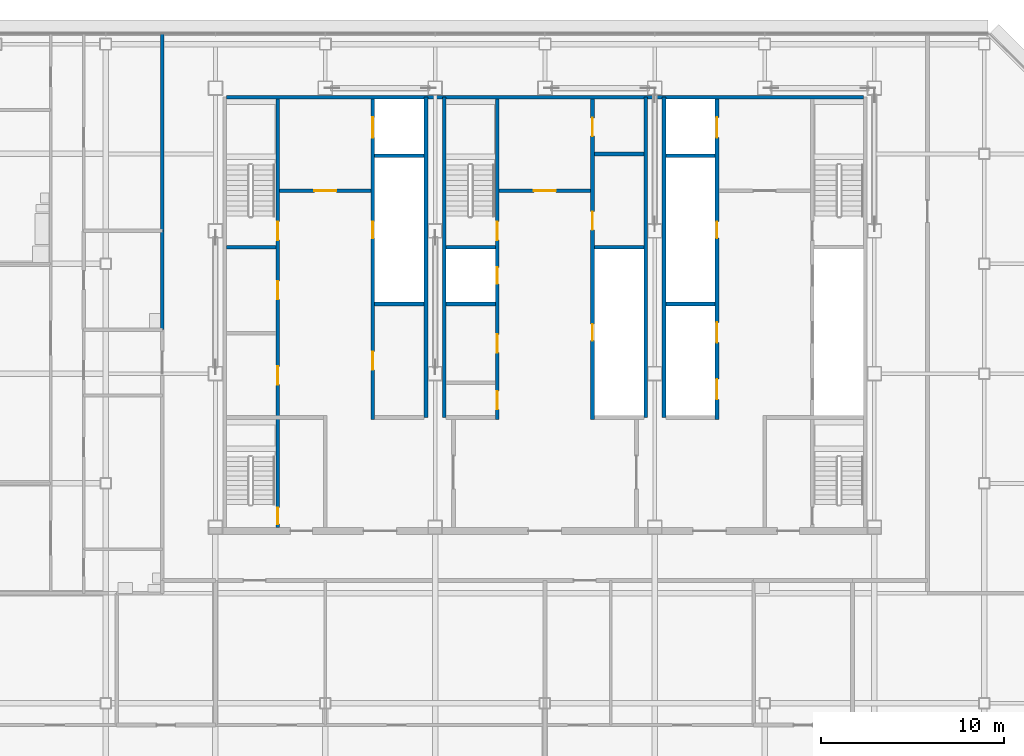
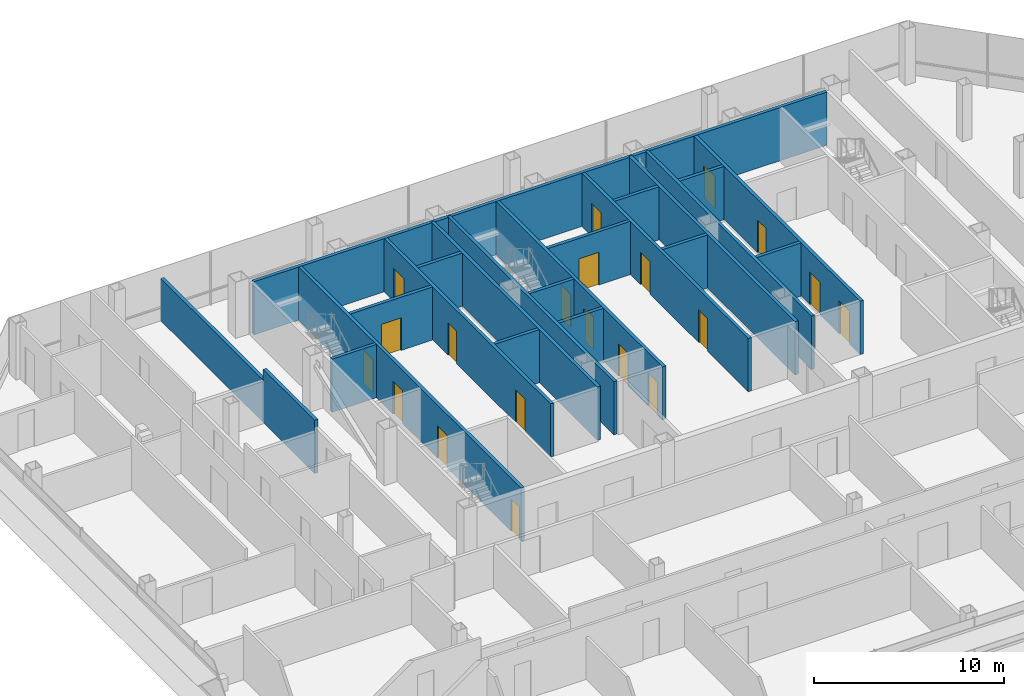
# One storey, part 23 of 27: 23 walls, 20 doors, 20 openings.
"""IFC4 building model written with IfcOpenShell, lengths in metres."""

from ifc_helpers import new_model, si_unit, direction, frame, frame_2d, origin, place, context, subcontext, project, spatial, rectangle, extrude, material, layer, layer_set, type_object, element, fill, save


model = new_model("IFC4")

# Units and contexts
model_context = context("Model", 3, precision=1e-05, world=origin(), true_north=direction((0.0, 1.0)))
body_context = subcontext(model_context, "Body", "Model", "MODEL_VIEW")
ifc_project = project(units=[si_unit("LENGTHUNIT", "METRE"), si_unit("AREAUNIT", "SQUARE_METRE"), si_unit("VOLUMEUNIT", "CUBIC_METRE"), si_unit("PLANEANGLEUNIT", "RADIAN"), si_unit("MASSUNIT", "GRAM", prefix="KILO")], contexts=[model_context])

# Site, building, storey
site_placement = place(None, origin())
site = spatial("IfcSite", under=ifc_project, at=site_placement, CompositionType="ELEMENT")
building_placement = place(site_placement, origin())
building = spatial("IfcBuilding", under=site, at=building_placement, Name="Sorahane Residences", CompositionType="ELEMENT")
storey_placement = place(building_placement, frame((0.0, 0.0, 239.60009765625)))
storey = spatial("IfcBuildingStorey", under=building, at=storey_placement, Name="L56", CompositionType="ELEMENT", Elevation=239.60009765625)

# Walls
ifc_material_1 = material(Name="Concrete C30", Category="concrete")
ifc_layer_1 = layer(ifc_material_1, 0.199951171875)
ifc_layer_set_1 = layer_set([ifc_layer_1], Name="Core face wall 200 EI 180")
wall_type_1 = type_object("IfcWallType", Name="Core face wall 200 EI 180", PredefinedType="SOLIDWALL", material=ifc_layer_set_1)
wall_1_placement = place(storey_placement, frame((6.60009765625, 45.10009765625, 0.0), z_axis=(0.0, 0.0, 1.0), x_axis=(1.0, 0.0, 0.0)))
element("IfcWall", 1, at=wall_1_placement, inside=storey, type_object=wall_type_1, Name="L56 core face wall", PredefinedType="SOLIDWALL", context=body_context, shape_type="SweptSolid", body=[
    extrude(rectangle(XDim=34.7998046875, YDim=0.199951171875, at=frame_2d((17.39990234375, 0.0))), origin(), (0.0, 0.0, 1.0), 3.419921875),
])
for number, where, z_axis, x_axis, name in (
    (2, (17.5, 27.60009765625, 0.0), (0.0, 0.0, 1.0), (0.0, 1.0, 0.0), "L56 core face wall"),
    (3, (18.5, 27.60009765625, 0.0), (0.0, 0.0, 1.0), (0.0, 1.0, 0.0), "L56 core face wall"),
    (4, (29.5, 27.60009765625, 0.0), (0.0, 0.0, 1.0), (0.0, 1.0, 0.0), "L56 core face wall"),
    (5, (30.5, 27.60009765625, 0.0), (0.0, 0.0, 1.0), (0.0, 1.0, 0.0), "L56 core face wall"),
):
    element("IfcWall", number, at=place(storey_placement, frame(where, z_axis=z_axis, x_axis=x_axis)), inside=storey, type_object=wall_type_1, Name=name, PredefinedType="SOLIDWALL", context=body_context, shape_type="SweptSolid", body=[
        extrude(rectangle(XDim=17.5, YDim=0.199951171875, at=frame_2d((8.75, 0.0))), origin(), (0.0, 0.0, 1.0), 3.419921875),
    ])
ifc_material_2 = material(Name="Concrete blockwork C20 wall", Category="masonry")
ifc_layer_2 = layer(ifc_material_2, 0.199951171875)
ifc_layer_set_2 = layer_set([ifc_layer_2], Name="Corridor wall 200 EI 120")
wall_type_2 = type_object("IfcWallType", Name="Corridor wall 200 EI 120", PredefinedType="SOLIDWALL", material=ifc_layer_set_2)
wall_2_placement = place(storey_placement, frame((3.10009765625, 37.800048828125, 0.0), z_axis=(0.0, 0.0, 1.0), x_axis=(0.0, 1.0, 0.0)))
element("IfcWall", 6, at=wall_2_placement, inside=storey, type_object=wall_type_2, Name="L56 corridor wall", PredefinedType="SOLIDWALL", context=body_context, shape_type="SweptSolid", body=[
    extrude(rectangle(XDim=10.800048828125, YDim=0.199951171875, at=frame_2d((5.39990234375, 0.0))), origin(), (0.0, 0.0, 1.0), 2.719970703125),
])

# Wall, opening, door
ifc_material_3 = material(Name="Concrete C30", Category="concrete")
ifc_layer_3 = layer(ifc_material_3, 0.199951171875)
ifc_layer_set_3 = layer_set([ifc_layer_3], Name="Front room wall 200 EI 120")
wall_type_3 = type_object("IfcWallType", Name="Front room wall 200 EI 120", PredefinedType="PARTITIONING", material=ifc_layer_set_3)
wall_3_placement = place(storey_placement, frame((21.5, 40.0, 0.0), z_axis=(0.0, 0.0, 1.0), x_axis=(1.0, 0.0, 0.0)))
wall_3 = element("IfcWall", 7, at=wall_3_placement, inside=storey, type_object=wall_type_3, Name="L56 front room wall", PredefinedType="PARTITIONING", context=body_context, shape_type="SweptSolid", body=[
    extrude(rectangle(XDim=5.0, YDim=0.199951171875, at=frame_2d((2.5, 0.0))), origin(), (0.0, 0.0, 1.0), 3.419921875),
])
opening_1_placement = place(wall_3_placement, frame((1.89990234375, 0.0, 0.0)))
opening_1 = element("IfcOpeningElement", 8, at=opening_1_placement, cuts=wall_3, Name="Opening L56-C09", PredefinedType="OPENING", context=body_context, shape_type="SweptSolid", body=[
    extrude(rectangle(XDim=1.199951171875, YDim=2.10009765625, at=frame_2d((0.60009765625, 1.050048828125))), frame((0.0, 0.10986328125, 0.0), z_axis=(0.0, -1.0, 0.0), x_axis=(1.0, 0.0, 0.0)), (0.0, 0.0, 1.0), 0.219970703125),
])
ifc_material_4 = material(Name="Steel", Category="steel")
door_type_1 = type_object("IfcDoorType", Name="Front room door 1200x2100 FD120", OperationType="NOTDEFINED", PredefinedType="DOOR", material=ifc_material_4)
door_1_placement = place(opening_1_placement, frame((1.199951171875, 0.0, 0.0), z_axis=(0.0, 0.0, 1.0), x_axis=(-1.0, 0.0, 0.0)))
door_1 = element("IfcDoor", 9, at=door_1_placement, inside=storey, type_object=door_type_1, Name="Front room door Stair S3 vestibule L56", OperationType="DOUBLE_DOOR_SINGLE_SWING", OverallHeight=2.10009765625, OverallWidth=1.199951171875, PredefinedType="DOOR", context=body_context, shape_type="SweptSolid", body=[
    extrude(rectangle(XDim=1.199951171875, YDim=2.10009765625, at=frame_2d((0.60009765625, 1.050048828125))), frame((0.0, 0.02490234375, 0.0), z_axis=(0.0, -1.0, 0.0), x_axis=(1.0, 0.0, 0.0)), (0.0, 0.0, 1.0), 0.050048828125),
])
fill(opening_1, door_1)

wall_4_placement = place(storey_placement, frame((9.5, 40.0, 0.0), z_axis=(0.0, 0.0, 1.0), x_axis=(1.0, 0.0, 0.0)))
wall_4 = element("IfcWall", 10, at=wall_4_placement, inside=storey, type_object=wall_type_3, Name="L56 front room wall", PredefinedType="PARTITIONING", context=body_context, shape_type="SweptSolid", body=[
    extrude(rectangle(XDim=5.0, YDim=0.199951171875, at=frame_2d((2.5, 0.0))), origin(), (0.0, 0.0, 1.0), 3.419921875),
])
opening_2_placement = place(wall_4_placement, frame((1.89990234375, 0.0, 0.0)))
opening_2 = element("IfcOpeningElement", 11, at=opening_2_placement, cuts=wall_4, Name="Opening L56-C08", PredefinedType="OPENING", context=body_context, shape_type="SweptSolid", body=[
    extrude(rectangle(XDim=1.199951171875, YDim=2.10009765625, at=frame_2d((0.60009765625, 1.050048828125))), frame((0.0, 0.10986328125, 0.0), z_axis=(0.0, -1.0, 0.0), x_axis=(1.0, 0.0, 0.0)), (0.0, 0.0, 1.0), 0.219970703125),
])
door_2_placement = place(opening_2_placement, frame((1.199951171875, 0.0, 0.0), z_axis=(0.0, 0.0, 1.0), x_axis=(-1.0, 0.0, 0.0)))
door_2 = element("IfcDoor", 12, at=door_2_placement, inside=storey, type_object=door_type_1, Name="Front room door Firefighting lobby FF1 front room L56", OperationType="DOUBLE_DOOR_SINGLE_SWING", OverallHeight=2.10009765625, OverallWidth=1.199951171875, PredefinedType="DOOR", context=body_context, shape_type="SweptSolid", body=[
    extrude(rectangle(XDim=1.199951171875, YDim=2.10009765625, at=frame_2d((0.60009765625, 1.050048828125))), frame((0.0, 0.02490234375, 0.0), z_axis=(0.0, -1.0, 0.0), x_axis=(1.0, 0.0, 0.0)), (0.0, 0.0, 1.0), 0.050048828125),
])
fill(opening_2, door_2)

# Wall
ifc_material_5 = material(Name="Concrete blockwork C20 wall", Category="masonry")
ifc_layer_4 = layer(ifc_material_5, 0.199951171875)
ifc_layer_set_4 = layer_set([ifc_layer_4], Name="Kitchen wall 200 EI 180")
wall_type_4 = type_object("IfcWallType", Name="Kitchen wall 200 EI 180", PredefinedType="SOLIDWALL", material=ifc_layer_set_4)
wall_5_placement = place(storey_placement, frame((3.10009765625, 32.39990234375, 0.0), z_axis=(0.0, 0.0, 1.0), x_axis=(0.0, 1.0, 0.0)))
element("IfcWall", 13, at=wall_5_placement, inside=storey, type_object=wall_type_4, Name="L56 kitchen wall", PredefinedType="SOLIDWALL", context=body_context, shape_type="SweptSolid", body=[
    extrude(rectangle(XDim=5.400146484375, YDim=0.199951171875, at=frame_2d((2.7001953125, 0.0))), origin(), (0.0, 0.0, 1.0), 3.419921875),
])

# Wall, openings, doors
ifc_material_6 = material(Name="Concrete C30", Category="concrete")
ifc_layer_5 = layer(ifc_material_6, 0.199951171875)
ifc_layer_set_5 = layer_set([ifc_layer_5], Name="Lift shaft wall 200 EI 120")
wall_type_5 = type_object("IfcWallType", Name="Lift shaft wall 200 EI 120", PredefinedType="SOLIDWALL", material=ifc_layer_set_5)
wall_6_placement = place(storey_placement, frame((14.60009765625, 27.5, 0.0), z_axis=(0.0, 0.0, 1.0), x_axis=(0.0, 1.0, 0.0)))
wall_6 = element("IfcWall", 14, at=wall_6_placement, inside=storey, type_object=wall_type_5, Name="L56 lift shaft wall", PredefinedType="SOLIDWALL", context=body_context, shape_type="SweptSolid", body=[
    extrude(rectangle(XDim=17.5, YDim=0.199951171875, at=frame_2d((8.75, 0.0))), origin(), (0.0, 0.0, 1.0), 3.419921875),
])
opening_3_placement = place(wall_6_placement, frame((15.39990234375, 0.0, 0.0)))
opening_3 = element("IfcOpeningElement", 15, at=opening_3_placement, cuts=wall_6, Name="Opening L56-C17", PredefinedType="OPENING", context=body_context, shape_type="SweptSolid", body=[
    extrude(rectangle(XDim=1.10009765625, YDim=2.10009765625, at=frame_2d((0.550048828125, 1.050048828125))), frame((0.0, 0.10986328125, 0.0), z_axis=(0.0, -1.0, 0.0), x_axis=(1.0, 0.0, 0.0)), (0.0, 0.0, 1.0), 0.219970703125),
])
opening_4_placement = place(wall_6_placement, frame((2.699951171875, 0.0, 0.0)))
opening_4 = element("IfcOpeningElement", 16, at=opening_4_placement, cuts=wall_6, Name="Opening L56-C20", PredefinedType="OPENING", context=body_context, shape_type="SweptSolid", body=[
    extrude(rectangle(XDim=1.0, YDim=2.10009765625, at=frame_2d((0.5, 1.050048828125))), frame((0.0, 0.10986328125, 0.0), z_axis=(0.0, -1.0, 0.0), x_axis=(1.0, 0.0, 0.0)), (0.0, 0.0, 1.0), 0.219970703125),
])
opening_5_placement = place(wall_6_placement, frame((9.89990234375, 0.0, 0.0)))
opening_5 = element("IfcOpeningElement", 17, at=opening_5_placement, cuts=wall_6, Name="Opening L56-C28", PredefinedType="OPENING", context=body_context, shape_type="SweptSolid", body=[
    extrude(rectangle(XDim=0.89990234375, YDim=2.10009765625, at=frame_2d((0.449951171875, 1.050048828125))), frame((0.0, 0.10986328125, 0.0), z_axis=(0.0, -1.0, 0.0), x_axis=(1.0, 0.0, 0.0)), (0.0, 0.0, 1.0), 0.219970703125),
])
ifc_material_7 = material(Name="Aluminium and stainless steel", Category="steel")
door_type_2 = type_object("IfcDoorType", Name="Lift landing door 1100x2100 E 60", OperationType="NOTDEFINED", PredefinedType="DOOR", material=ifc_material_7)
door_3_placement = place(opening_3_placement, origin())
door_3 = element("IfcDoor", 18, at=door_3_placement, inside=storey, type_object=door_type_2, Name="Lift landing door FF1 L56", OperationType="DOUBLE_DOOR_SLIDING", OverallHeight=2.10009765625, OverallWidth=1.10009765625, PredefinedType="DOOR", context=body_context, shape_type="SweptSolid", body=[
    extrude(rectangle(XDim=1.10009765625, YDim=2.10009765625, at=frame_2d((0.550048828125, 1.050048828125))), frame((0.0, 0.02490234375, 0.0), z_axis=(0.0, -1.0, 0.0), x_axis=(1.0, 0.0, 0.0)), (0.0, 0.0, 1.0), 0.050048828125),
])
fill(opening_3, door_3)
ifc_material_8 = material(Name="Steel", Category="steel")
door_type_3 = type_object("IfcDoorType", Name="Riser door 900x2100 FD120", OperationType="NOTDEFINED", PredefinedType="DOOR", material=ifc_material_8)
door_4_placement = place(opening_5_placement, origin())
door_4 = element("IfcDoor", 19, at=door_4_placement, inside=storey, type_object=door_type_3, Name="Riser door R1 L56", OperationType="SINGLE_SWING_LEFT", OverallHeight=2.10009765625, OverallWidth=0.89990234375, PredefinedType="DOOR", context=body_context, shape_type="SweptSolid", body=[
    extrude(rectangle(XDim=0.89990234375, YDim=2.10009765625, at=frame_2d((0.449951171875, 1.050048828125))), frame((0.0, 0.02490234375, 0.0), z_axis=(0.0, -1.0, 0.0), x_axis=(1.0, 0.0, 0.0)), (0.0, 0.0, 1.0), 0.050048828125),
])
fill(opening_5, door_4)
ifc_material_9 = material(Name="Steel", Category="steel")
door_type_4 = type_object("IfcDoorType", Name="Service room door 1000x2100 FD60", OperationType="NOTDEFINED", PredefinedType="DOOR", material=ifc_material_9)
door_5_placement = place(opening_4_placement, frame((1.0, 0.0, 0.0), z_axis=(0.0, 0.0, 1.0), x_axis=(-1.0, 0.0, 0.0)))
door_5 = element("IfcDoor", 20, at=door_5_placement, inside=storey, type_object=door_type_4, Name="Service room door Archive L56", OperationType="SINGLE_SWING_RIGHT", OverallHeight=2.10009765625, OverallWidth=1.0, PredefinedType="DOOR", context=body_context, shape_type="SweptSolid", body=[
    extrude(rectangle(XDim=1.0, YDim=2.10009765625, at=frame_2d((0.5, 1.050048828125))), frame((0.0, 0.02490234375, 0.0), z_axis=(0.0, -1.0, 0.0), x_axis=(1.0, 0.0, 0.0)), (0.0, 0.0, 1.0), 0.050048828125),
])
fill(opening_4, door_5)

wall_7_placement = place(storey_placement, frame((33.39990234375, 27.5, 0.0), z_axis=(0.0, 0.0, 1.0), x_axis=(0.0, 1.0, 0.0)))
wall_7 = element("IfcWall", 21, at=wall_7_placement, inside=storey, type_object=wall_type_5, Name="L56 lift shaft wall", PredefinedType="SOLIDWALL", context=body_context, shape_type="SweptSolid", body=[
    extrude(rectangle(XDim=17.5, YDim=0.199951171875, at=frame_2d((8.75, 0.0))), origin(), (0.0, 0.0, 1.0), 3.419921875),
])
opening_6_placement = place(wall_7_placement, frame((1.10009765625, 0.0, 0.0)))
opening_6 = element("IfcOpeningElement", 22, at=opening_6_placement, cuts=wall_7, Name="Opening L56-C14", PredefinedType="OPENING", context=body_context, shape_type="SweptSolid", body=[
    extrude(rectangle(XDim=1.10009765625, YDim=2.10009765625, at=frame_2d((0.550048828125, 1.050048828125))), frame((0.0, 0.10986328125, 0.0), z_axis=(0.0, -1.0, 0.0), x_axis=(1.0, 0.0, 0.0)), (0.0, 0.0, 1.0), 0.219970703125),
])
opening_7_placement = place(wall_7_placement, frame((4.199951171875, 0.0, 0.0)))
opening_7 = element("IfcOpeningElement", 23, at=opening_7_placement, cuts=wall_7, Name="Opening L56-C15", PredefinedType="OPENING", context=body_context, shape_type="SweptSolid", body=[
    extrude(rectangle(XDim=1.10009765625, YDim=2.10009765625, at=frame_2d((0.550048828125, 1.050048828125))), frame((0.0, 0.10986328125, 0.0), z_axis=(0.0, -1.0, 0.0), x_axis=(1.0, 0.0, 0.0)), (0.0, 0.0, 1.0), 0.219970703125),
])
opening_8_placement = place(wall_7_placement, frame((15.39990234375, 0.0, 0.0)))
opening_8 = element("IfcOpeningElement", 24, at=opening_8_placement, cuts=wall_7, Name="Opening L56-C16", PredefinedType="OPENING", context=body_context, shape_type="SweptSolid", body=[
    extrude(rectangle(XDim=1.10009765625, YDim=2.10009765625, at=frame_2d((0.550048828125, 1.050048828125))), frame((0.0, 0.10986328125, 0.0), z_axis=(0.0, -1.0, 0.0), x_axis=(1.0, 0.0, 0.0)), (0.0, 0.0, 1.0), 0.219970703125),
])
opening_9_placement = place(wall_7_placement, frame((9.89990234375, 0.0, 0.0)))
opening_9 = element("IfcOpeningElement", 25, at=opening_9_placement, cuts=wall_7, Name="Opening L56-C29", PredefinedType="OPENING", context=body_context, shape_type="SweptSolid", body=[
    extrude(rectangle(XDim=0.89990234375, YDim=2.10009765625, at=frame_2d((0.449951171875, 1.050048828125))), frame((0.0, 0.10986328125, 0.0), z_axis=(0.0, -1.0, 0.0), x_axis=(1.0, 0.0, 0.0)), (0.0, 0.0, 1.0), 0.219970703125),
])
door_6_placement = place(opening_6_placement, origin())
door_6 = element("IfcDoor", 26, at=door_6_placement, inside=storey, type_object=door_type_2, Name="Lift landing door HR4 L56", OperationType="DOUBLE_DOOR_SLIDING", OverallHeight=2.10009765625, OverallWidth=1.10009765625, PredefinedType="DOOR", context=body_context, shape_type="SweptSolid", body=[
    extrude(rectangle(XDim=1.10009765625, YDim=2.10009765625, at=frame_2d((0.550048828125, 1.050048828125))), frame((0.0, 0.02490234375, 0.0), z_axis=(0.0, -1.0, 0.0), x_axis=(1.0, 0.0, 0.0)), (0.0, 0.0, 1.0), 0.050048828125),
])
fill(opening_6, door_6)
door_7_placement = place(opening_7_placement, origin())
door_7 = element("IfcDoor", 27, at=door_7_placement, inside=storey, type_object=door_type_2, Name="Lift landing door HR5 L56", OperationType="DOUBLE_DOOR_SLIDING", OverallHeight=2.10009765625, OverallWidth=1.10009765625, PredefinedType="DOOR", context=body_context, shape_type="SweptSolid", body=[
    extrude(rectangle(XDim=1.10009765625, YDim=2.10009765625, at=frame_2d((0.550048828125, 1.050048828125))), frame((0.0, 0.02490234375, 0.0), z_axis=(0.0, -1.0, 0.0), x_axis=(1.0, 0.0, 0.0)), (0.0, 0.0, 1.0), 0.050048828125),
])
fill(opening_7, door_7)
door_8_placement = place(opening_8_placement, origin())
door_8 = element("IfcDoor", 28, at=door_8_placement, inside=storey, type_object=door_type_2, Name="Lift landing door FF2 L56", OperationType="DOUBLE_DOOR_SLIDING", OverallHeight=2.10009765625, OverallWidth=1.10009765625, PredefinedType="DOOR", context=body_context, shape_type="SweptSolid", body=[
    extrude(rectangle(XDim=1.10009765625, YDim=2.10009765625, at=frame_2d((0.550048828125, 1.050048828125))), frame((0.0, 0.02490234375, 0.0), z_axis=(0.0, -1.0, 0.0), x_axis=(1.0, 0.0, 0.0)), (0.0, 0.0, 1.0), 0.050048828125),
])
fill(opening_8, door_8)
door_9_placement = place(opening_9_placement, frame((0.89990234375, 0.0, 0.0), z_axis=(0.0, 0.0, 1.0), x_axis=(-1.0, 0.0, 0.0)))
door_9 = element("IfcDoor", 29, at=door_9_placement, inside=storey, type_object=door_type_3, Name="Riser door R2 L56", OperationType="SINGLE_SWING_LEFT", OverallHeight=2.10009765625, OverallWidth=0.89990234375, PredefinedType="DOOR", context=body_context, shape_type="SweptSolid", body=[
    extrude(rectangle(XDim=0.89990234375, YDim=2.10009765625, at=frame_2d((0.449951171875, 1.050048828125))), frame((0.0, 0.02490234375, 0.0), z_axis=(0.0, -1.0, 0.0), x_axis=(1.0, 0.0, 0.0)), (0.0, 0.0, 1.0), 0.050048828125),
])
fill(opening_9, door_9)

# Walls
for number, where, z_axis, x_axis, name in (
    (30, (30.60009765625, 33.800048828125, 0.0), (0.0, 0.0, 1.0), (1.0, 0.0, 0.0), "L56 lift shaft wall"),
    (31, (14.699951171875, 41.89990234375, 0.0), (0.0, 0.0, 1.0), (1.0, 0.0, 0.0), "L56 lift shaft wall"),
    (32, (30.60009765625, 41.89990234375, 0.0), (0.0, 0.0, 1.0), (1.0, 0.0, 0.0), "L56 lift shaft wall"),
):
    element("IfcWall", number, at=place(storey_placement, frame(where, z_axis=z_axis, x_axis=x_axis)), inside=storey, type_object=wall_type_5, Name=name, PredefinedType="SOLIDWALL", context=body_context, shape_type="SweptSolid", body=[
        extrude(rectangle(XDim=2.699951171875, YDim=0.199951171875, at=frame_2d((1.35009765625, 0.0))), origin(), (0.0, 0.0, 1.0), 3.419921875),
    ])

# Wall, openings, doors
ifc_material_10 = material(Name="Concrete C30", Category="concrete")
ifc_layer_6 = layer(ifc_material_10, 0.199951171875)
ifc_layer_set_6 = layer_set([ifc_layer_6], Name="Riser shaft wall 200 EI 120")
wall_type_6 = type_object("IfcWallType", Name="Riser shaft wall 200 EI 120", PredefinedType="SOLIDWALL", material=ifc_layer_set_6)
wall_8_placement = place(storey_placement, frame((26.60009765625, 27.5, 0.0), z_axis=(0.0, 0.0, 1.0), x_axis=(0.0, 1.0, 0.0)))
wall_8 = element("IfcWall", 33, at=wall_8_placement, inside=storey, type_object=wall_type_6, Name="L56 riser wall", PredefinedType="SOLIDWALL", context=body_context, shape_type="SweptSolid", body=[
    extrude(rectangle(XDim=17.5, YDim=0.199951171875, at=frame_2d((8.75, 0.0))), origin(), (0.0, 0.0, 1.0), 3.419921875),
])
opening_10_placement = place(wall_8_placement, frame((4.300048828125, 0.0, 0.0)))
opening_10 = element("IfcOpeningElement", 34, at=opening_10_placement, cuts=wall_8, Name="Opening L56-C31", PredefinedType="OPENING", context=body_context, shape_type="SweptSolid", body=[
    extrude(rectangle(XDim=0.89990234375, YDim=2.10009765625, at=frame_2d((0.449951171875, 1.050048828125))), frame((0.0, 0.10986328125, 0.0), z_axis=(0.0, -1.0, 0.0), x_axis=(1.0, 0.0, 0.0)), (0.0, 0.0, 1.0), 0.219970703125),
])
opening_11_placement = place(wall_8_placement, frame((10.35009765625, 0.0, 0.0)))
opening_11 = element("IfcOpeningElement", 35, at=opening_11_placement, cuts=wall_8, Name="Opening L56-C32", PredefinedType="OPENING", context=body_context, shape_type="SweptSolid", body=[
    extrude(rectangle(XDim=1.0, YDim=2.10009765625, at=frame_2d((0.5, 1.050048828125))), frame((0.0, 0.10986328125, 0.0), z_axis=(0.0, -1.0, 0.0), x_axis=(1.0, 0.0, 0.0)), (0.0, 0.0, 1.0), 0.219970703125),
])
opening_12_placement = place(wall_8_placement, frame((15.47509765625, 0.0, 0.0)))
opening_12 = element("IfcOpeningElement", 36, at=opening_12_placement, cuts=wall_8, Name="Opening L56-C33", PredefinedType="OPENING", context=body_context, shape_type="SweptSolid", body=[
    extrude(rectangle(XDim=1.0, YDim=2.10009765625, at=frame_2d((0.5, 1.050048828125))), frame((0.0, 0.10986328125, 0.0), z_axis=(0.0, -1.0, 0.0), x_axis=(1.0, 0.0, 0.0)), (0.0, 0.0, 1.0), 0.219970703125),
])
door_10_placement = place(opening_10_placement, origin())
door_10 = element("IfcDoor", 37, at=door_10_placement, inside=storey, type_object=door_type_3, Name="Riser door R4 L56", OperationType="SINGLE_SWING_LEFT", OverallHeight=2.10009765625, OverallWidth=0.89990234375, PredefinedType="DOOR", context=body_context, shape_type="SweptSolid", body=[
    extrude(rectangle(XDim=0.89990234375, YDim=2.10009765625, at=frame_2d((0.449951171875, 1.050048828125))), frame((0.0, 0.02490234375, 0.0), z_axis=(0.0, -1.0, 0.0), x_axis=(1.0, 0.0, 0.0)), (0.0, 0.0, 1.0), 0.050048828125),
])
fill(opening_10, door_10)
door_11_placement = place(opening_11_placement, frame((1.0, 0.0, 0.0), z_axis=(0.0, 0.0, 1.0), x_axis=(-1.0, 0.0, 0.0)))
door_11 = element("IfcDoor", 38, at=door_11_placement, inside=storey, type_object=door_type_4, Name="Service room door Parcel room L56", OperationType="SINGLE_SWING_LEFT", OverallHeight=2.10009765625, OverallWidth=1.0, PredefinedType="DOOR", context=body_context, shape_type="SweptSolid", body=[
    extrude(rectangle(XDim=1.0, YDim=2.10009765625, at=frame_2d((0.5, 1.050048828125))), frame((0.0, 0.02490234375, 0.0), z_axis=(0.0, -1.0, 0.0), x_axis=(1.0, 0.0, 0.0)), (0.0, 0.0, 1.0), 0.050048828125),
])
fill(opening_11, door_11)
door_12_placement = place(opening_12_placement, frame((1.0, 0.0, 0.0), z_axis=(0.0, 0.0, 1.0), x_axis=(-1.0, 0.0, 0.0)))
door_12 = element("IfcDoor", 39, at=door_12_placement, inside=storey, type_object=door_type_4, Name="Service room door Refuse room L56", OperationType="SINGLE_SWING_RIGHT", OverallHeight=2.10009765625, OverallWidth=1.0, PredefinedType="DOOR", context=body_context, shape_type="SweptSolid", body=[
    extrude(rectangle(XDim=1.0, YDim=2.10009765625, at=frame_2d((0.5, 1.050048828125))), frame((0.0, 0.02490234375, 0.0), z_axis=(0.0, -1.0, 0.0), x_axis=(1.0, 0.0, 0.0)), (0.0, 0.0, 1.0), 0.050048828125),
])
fill(opening_12, door_12)

# Walls
for number, where, z_axis, x_axis, name in (
    (40, (14.699951171875, 33.800048828125, 0.0), (0.0, 0.0, 1.0), (1.0, 0.0, 0.0), "L56 riser wall"),
    (41, (18.60009765625, 33.800048828125, 0.0), (0.0, 0.0, 1.0), (1.0, 0.0, 0.0), "L56 riser wall"),
    (42, (26.699951171875, 36.89990234375, 0.0), (0.0, 0.0, 1.0), (1.0, 0.0, 0.0), "L56 riser wall"),
):
    element("IfcWall", number, at=place(storey_placement, frame(where, z_axis=z_axis, x_axis=x_axis)), inside=storey, type_object=wall_type_6, Name=name, PredefinedType="SOLIDWALL", context=body_context, shape_type="SweptSolid", body=[
        extrude(rectangle(XDim=2.699951171875, YDim=0.199951171875, at=frame_2d((1.35009765625, 0.0))), origin(), (0.0, 0.0, 1.0), 3.419921875),
    ])
ifc_material_11 = material(Name="Concrete C30", Category="concrete")
ifc_layer_7 = layer(ifc_material_11, 0.199951171875)
ifc_layer_set_7 = layer_set([ifc_layer_7], Name="Service room partition 200 EI 60")
wall_type_7 = type_object("IfcWallType", Name="Service room partition 200 EI 60", PredefinedType="PARTITIONING", material=ifc_layer_set_7)
wall_9_placement = place(storey_placement, frame((26.699951171875, 42.0, 0.0), z_axis=(0.0, 0.0, 1.0), x_axis=(1.0, 0.0, 0.0)))
element("IfcWall", 43, at=wall_9_placement, inside=storey, type_object=wall_type_7, Name="L56 service room wall", PredefinedType="PARTITIONING", context=body_context, shape_type="SweptSolid", body=[
    extrude(rectangle(XDim=2.699951171875, YDim=0.199951171875, at=frame_2d((1.35009765625, 0.0))), origin(), (0.0, 0.0, 1.0), 3.419921875),
])

# Wall, openings, doors
ifc_material_12 = material(Name="Concrete C30", Category="concrete")
ifc_layer_8 = layer(ifc_material_12, 0.199951171875)
ifc_layer_set_8 = layer_set([ifc_layer_8], Name="Stair enclosure wall 200 EI 120")
wall_type_8 = type_object("IfcWallType", Name="Stair enclosure wall 200 EI 120", PredefinedType="SOLIDWALL", material=ifc_layer_set_8)
wall_10_placement = place(storey_placement, frame((21.39990234375, 27.5, 0.0), z_axis=(0.0, 0.0, 1.0), x_axis=(0.0, 1.0, 0.0)))
wall_10 = element("IfcWall", 44, at=wall_10_placement, inside=storey, type_object=wall_type_8, Name="L56 stair enclosure wall", PredefinedType="SOLIDWALL", context=body_context, shape_type="SweptSolid", body=[
    extrude(rectangle(XDim=17.5, YDim=0.199951171875, at=frame_2d((8.75, 0.0))), origin(), (0.0, 0.0, 1.0), 3.419921875),
])
opening_13_placement = place(wall_10_placement, frame((0.550048828125, 0.0, 0.0)))
opening_13 = element("IfcOpeningElement", 45, at=opening_13_placement, cuts=wall_10, Name="Opening L56-C18", PredefinedType="OPENING", context=body_context, shape_type="SweptSolid", body=[
    extrude(rectangle(XDim=1.0, YDim=2.10009765625, at=frame_2d((0.5, 1.050048828125))), frame((0.0, 0.10986328125, 0.0), z_axis=(0.0, -1.0, 0.0), x_axis=(1.0, 0.0, 0.0)), (0.0, 0.0, 1.0), 0.219970703125),
])
opening_14_placement = place(wall_10_placement, frame((3.64990234375, 0.0, 0.0)))
opening_14 = element("IfcOpeningElement", 46, at=opening_14_placement, cuts=wall_10, Name="Opening L56-C19", PredefinedType="OPENING", context=body_context, shape_type="SweptSolid", body=[
    extrude(rectangle(XDim=1.0, YDim=2.10009765625, at=frame_2d((0.5, 1.050048828125))), frame((0.0, 0.10986328125, 0.0), z_axis=(0.0, -1.0, 0.0), x_axis=(1.0, 0.0, 0.0)), (0.0, 0.0, 1.0), 0.219970703125),
])
opening_15_placement = place(wall_10_placement, frame((9.800048828125, 0.0, 0.0)))
opening_15 = element("IfcOpeningElement", 47, at=opening_15_placement, cuts=wall_10, Name="Opening L56-C25", PredefinedType="OPENING", context=body_context, shape_type="SweptSolid", body=[
    extrude(rectangle(XDim=1.0, YDim=2.10009765625, at=frame_2d((0.5, 1.050048828125))), frame((0.0, 0.10986328125, 0.0), z_axis=(0.0, -1.0, 0.0), x_axis=(1.0, 0.0, 0.0)), (0.0, 0.0, 1.0), 0.219970703125),
])
opening_16_placement = place(wall_10_placement, frame((7.39990234375, 0.0, 0.0)))
opening_16 = element("IfcOpeningElement", 48, at=opening_16_placement, cuts=wall_10, Name="Opening L56-C30", PredefinedType="OPENING", context=body_context, shape_type="SweptSolid", body=[
    extrude(rectangle(XDim=0.89990234375, YDim=2.10009765625, at=frame_2d((0.449951171875, 1.050048828125))), frame((0.0, 0.10986328125, 0.0), z_axis=(0.0, -1.0, 0.0), x_axis=(1.0, 0.0, 0.0)), (0.0, 0.0, 1.0), 0.219970703125),
])
door_13_placement = place(opening_16_placement, frame((0.89990234375, 0.0, 0.0), z_axis=(0.0, 0.0, 1.0), x_axis=(-1.0, 0.0, 0.0)))
door_13 = element("IfcDoor", 49, at=door_13_placement, inside=storey, type_object=door_type_3, Name="Riser door R3 L56", OperationType="SINGLE_SWING_LEFT", OverallHeight=2.10009765625, OverallWidth=0.89990234375, PredefinedType="DOOR", context=body_context, shape_type="SweptSolid", body=[
    extrude(rectangle(XDim=0.89990234375, YDim=2.10009765625, at=frame_2d((0.449951171875, 1.050048828125))), frame((0.0, 0.02490234375, 0.0), z_axis=(0.0, -1.0, 0.0), x_axis=(1.0, 0.0, 0.0)), (0.0, 0.0, 1.0), 0.050048828125),
])
fill(opening_16, door_13)
door_14_placement = place(opening_13_placement, origin())
door_14 = element("IfcDoor", 50, at=door_14_placement, inside=storey, type_object=door_type_4, Name="Service room door Wine store L56", OperationType="SINGLE_SWING_LEFT", OverallHeight=2.10009765625, OverallWidth=1.0, PredefinedType="DOOR", context=body_context, shape_type="SweptSolid", body=[
    extrude(rectangle(XDim=1.0, YDim=2.10009765625, at=frame_2d((0.5, 1.050048828125))), frame((0.0, 0.02490234375, 0.0), z_axis=(0.0, -1.0, 0.0), x_axis=(1.0, 0.0, 0.0)), (0.0, 0.0, 1.0), 0.050048828125),
])
fill(opening_13, door_14)
door_15_placement = place(opening_14_placement, origin())
door_15 = element("IfcDoor", 51, at=door_15_placement, inside=storey, type_object=door_type_4, Name="Service room door Valet store L56", OperationType="SINGLE_SWING_LEFT", OverallHeight=2.10009765625, OverallWidth=1.0, PredefinedType="DOOR", context=body_context, shape_type="SweptSolid", body=[
    extrude(rectangle(XDim=1.0, YDim=2.10009765625, at=frame_2d((0.5, 1.050048828125))), frame((0.0, 0.02490234375, 0.0), z_axis=(0.0, -1.0, 0.0), x_axis=(1.0, 0.0, 0.0)), (0.0, 0.0, 1.0), 0.050048828125),
])
fill(opening_14, door_15)
ifc_material_13 = material(Name="Steel", Category="steel")
door_type_5 = type_object("IfcDoorType", Name="Stair door 1000x2100 FD120", OperationType="NOTDEFINED", PredefinedType="DOOR", material=ifc_material_13)
door_16_placement = place(opening_15_placement, origin())
door_16 = element("IfcDoor", 52, at=door_16_placement, inside=storey, type_object=door_type_5, Name="Stair door S3 L56", OperationType="SINGLE_SWING_LEFT", OverallHeight=2.10009765625, OverallWidth=1.0, PredefinedType="DOOR", context=body_context, shape_type="SweptSolid", body=[
    extrude(rectangle(XDim=1.0, YDim=2.10009765625, at=frame_2d((0.5, 1.050048828125))), frame((0.0, 0.02490234375, 0.0), z_axis=(0.0, -1.0, 0.0), x_axis=(1.0, 0.0, 0.0)), (0.0, 0.0, 1.0), 0.050048828125),
])
fill(opening_15, door_16)

wall_11_placement = place(storey_placement, frame((9.39990234375, 21.60009765625, 0.0), z_axis=(0.0, 0.0, 1.0), x_axis=(0.0, 1.0, 0.0)))
wall_11 = element("IfcWall", 53, at=wall_11_placement, inside=storey, type_object=wall_type_8, Name="L56 stair enclosure wall", PredefinedType="SOLIDWALL", context=body_context, shape_type="SweptSolid", body=[
    extrude(rectangle(XDim=23.39990234375, YDim=0.199951171875, at=frame_2d((11.699951171875, 0.0))), origin(), (0.0, 0.0, 1.0), 3.419921875),
])
opening_17_placement = place(wall_11_placement, frame((7.800048828125, 0.0, 0.0)))
opening_17 = element("IfcOpeningElement", 54, at=opening_17_placement, cuts=wall_11, Name="Opening L56-C21", PredefinedType="OPENING", context=body_context, shape_type="SweptSolid", body=[
    extrude(rectangle(XDim=1.0, YDim=2.10009765625, at=frame_2d((0.5, 1.050048828125))), frame((0.0, 0.10986328125, 0.0), z_axis=(0.0, -1.0, 0.0), x_axis=(1.0, 0.0, 0.0)), (0.0, 0.0, 1.0), 0.219970703125),
])
opening_18_placement = place(wall_11_placement, frame((12.449951171875, 0.0, 0.0)))
opening_18 = element("IfcOpeningElement", 55, at=opening_18_placement, cuts=wall_11, Name="Opening L56-C22", PredefinedType="OPENING", context=body_context, shape_type="SweptSolid", body=[
    extrude(rectangle(XDim=1.0, YDim=2.10009765625, at=frame_2d((0.5, 1.050048828125))), frame((0.0, 0.10986328125, 0.0), z_axis=(0.0, -1.0, 0.0), x_axis=(1.0, 0.0, 0.0)), (0.0, 0.0, 1.0), 0.219970703125),
])
opening_19_placement = place(wall_11_placement, frame((15.699951171875, 0.0, 0.0)))
opening_19 = element("IfcOpeningElement", 56, at=opening_19_placement, cuts=wall_11, Name="Opening L56-C23", PredefinedType="OPENING", context=body_context, shape_type="SweptSolid", body=[
    extrude(rectangle(XDim=1.0, YDim=2.10009765625, at=frame_2d((0.5, 1.050048828125))), frame((0.0, 0.10986328125, 0.0), z_axis=(0.0, -1.0, 0.0), x_axis=(1.0, 0.0, 0.0)), (0.0, 0.0, 1.0), 0.219970703125),
])
opening_20_placement = place(wall_11_placement, frame((0.175048828125, 0.0, 0.0)))
opening_20 = element("IfcOpeningElement", 57, at=opening_20_placement, cuts=wall_11, Name="Opening L56-C26", PredefinedType="OPENING", context=body_context, shape_type="SweptSolid", body=[
    extrude(rectangle(XDim=0.89990234375, YDim=2.10009765625, at=frame_2d((0.449951171875, 1.050048828125))), frame((0.0, 0.10986328125, 0.0), z_axis=(0.0, -1.0, 0.0), x_axis=(1.0, 0.0, 0.0)), (0.0, 0.0, 1.0), 0.219970703125),
])
door_17_placement = place(opening_17_placement, origin())
door_17 = element("IfcDoor", 58, at=door_17_placement, inside=storey, type_object=door_type_4, Name="Service room door Audio room L56", OperationType="SINGLE_SWING_RIGHT", OverallHeight=2.10009765625, OverallWidth=1.0, PredefinedType="DOOR", context=body_context, shape_type="SweptSolid", body=[
    extrude(rectangle(XDim=1.0, YDim=2.10009765625, at=frame_2d((0.5, 1.050048828125))), frame((0.0, 0.02490234375, 0.0), z_axis=(0.0, -1.0, 0.0), x_axis=(1.0, 0.0, 0.0)), (0.0, 0.0, 1.0), 0.050048828125),
])
fill(opening_17, door_17)
door_18_placement = place(opening_18_placement, origin())
door_18 = element("IfcDoor", 59, at=door_18_placement, inside=storey, type_object=door_type_4, Name="Service room door Audio room L56", OperationType="SINGLE_SWING_LEFT", OverallHeight=2.10009765625, OverallWidth=1.0, PredefinedType="DOOR", context=body_context, shape_type="SweptSolid", body=[
    extrude(rectangle(XDim=1.0, YDim=2.10009765625, at=frame_2d((0.5, 1.050048828125))), frame((0.0, 0.02490234375, 0.0), z_axis=(0.0, -1.0, 0.0), x_axis=(1.0, 0.0, 0.0)), (0.0, 0.0, 1.0), 0.050048828125),
])
fill(opening_18, door_18)
door_19_placement = place(opening_19_placement, origin())
door_19 = element("IfcDoor", 60, at=door_19_placement, inside=storey, type_object=door_type_5, Name="Stair door S1 L56", OperationType="SINGLE_SWING_LEFT", OverallHeight=2.10009765625, OverallWidth=1.0, PredefinedType="DOOR", context=body_context, shape_type="SweptSolid", body=[
    extrude(rectangle(XDim=1.0, YDim=2.10009765625, at=frame_2d((0.5, 1.050048828125))), frame((0.0, 0.02490234375, 0.0), z_axis=(0.0, -1.0, 0.0), x_axis=(1.0, 0.0, 0.0)), (0.0, 0.0, 1.0), 0.050048828125),
])
fill(opening_19, door_19)
ifc_material_14 = material(Name="Steel", Category="steel")
door_type_6 = type_object("IfcDoorType", Name="Stair door 900x2100 FD120", OperationType="NOTDEFINED", PredefinedType="DOOR", material=ifc_material_14)
door_20_placement = place(opening_20_placement, origin())
door_20 = element("IfcDoor", 61, at=door_20_placement, inside=storey, type_object=door_type_6, Name="Stair door S4 L56", OperationType="SINGLE_SWING_LEFT", OverallHeight=2.10009765625, OverallWidth=0.89990234375, PredefinedType="DOOR", context=body_context, shape_type="SweptSolid", body=[
    extrude(rectangle(XDim=0.89990234375, YDim=2.10009765625, at=frame_2d((0.449951171875, 1.050048828125))), frame((0.0, 0.02490234375, 0.0), z_axis=(0.0, -1.0, 0.0), x_axis=(1.0, 0.0, 0.0)), (0.0, 0.0, 1.0), 0.050048828125),
])
fill(opening_20, door_20)

# Walls
for number, where, z_axis, x_axis, name in (
    (62, (18.60009765625, 36.89990234375, 0.0), (0.0, 0.0, 1.0), (1.0, 0.0, 0.0), "L56 stair enclosure wall"),
    (63, (6.60009765625, 36.89990234375, 0.0), (0.0, 0.0, 1.0), (1.0, 0.0, 0.0), "L56 stair enclosure wall"),
):
    element("IfcWall", number, at=place(storey_placement, frame(where, z_axis=z_axis, x_axis=x_axis)), inside=storey, type_object=wall_type_8, Name=name, PredefinedType="SOLIDWALL", context=body_context, shape_type="SweptSolid", body=[
        extrude(rectangle(XDim=2.699951171875, YDim=0.199951171875, at=frame_2d((1.35009765625, 0.0))), origin(), (0.0, 0.0, 1.0), 3.419921875),
    ])

save(model, "model.ifc")
